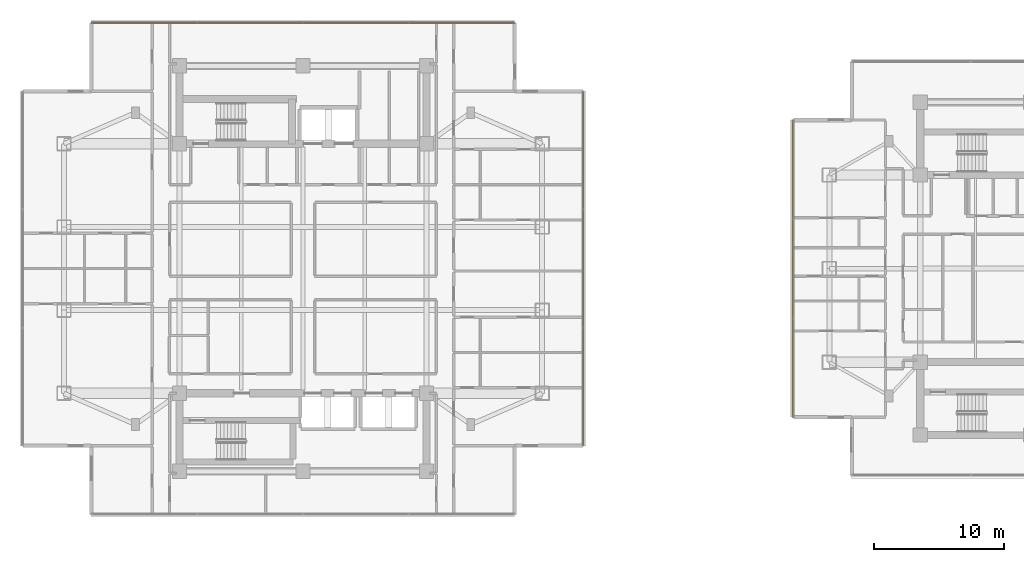
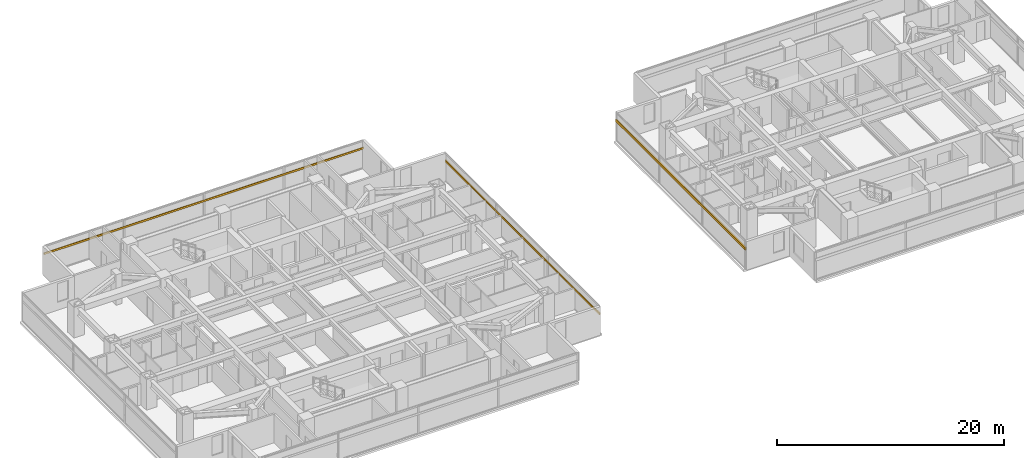
# One storey, part 21 of 24: 3 shading devices.
"""IFC4 building model written with IfcOpenShell, lengths in metres."""

from ifc_helpers import new_model, si_unit, direction, frame, origin, origin_2d, place, context, subcontext, project, spatial, rectangle, extrude, material, material_profile, profile_set, type_object, element, save


model = new_model("IFC4")

# Units and contexts
model_context = context("Model", 3, precision=1e-05, world=origin(), true_north=direction((0.0, 1.0)))
body_context = subcontext(model_context, "Body", "Model", "MODEL_VIEW")
ifc_project = project(units=[si_unit("LENGTHUNIT", "METRE"), si_unit("AREAUNIT", "SQUARE_METRE"), si_unit("VOLUMEUNIT", "CUBIC_METRE"), si_unit("PLANEANGLEUNIT", "RADIAN"), si_unit("MASSUNIT", "GRAM", prefix="KILO")], contexts=[model_context])

# Site, building, storey
site_placement = place(None, origin())
site = spatial("IfcSite", under=ifc_project, at=site_placement, CompositionType="ELEMENT")
building_placement = place(site_placement, origin())
building = spatial("IfcBuilding", under=site, at=building_placement, Name="Mirazonda Arch Towers", CompositionType="ELEMENT")
storey_placement = place(building_placement, frame((0.0, 0.0, 137.89990234375)))
storey = spatial("IfcBuildingStorey", under=building, at=storey_placement, Name="L39", CompositionType="ELEMENT", Elevation=137.89990234375)

# Shading devices
ifc_material = material(Name="Kiln-Fired Architectural Terracotta", Category="masonry")
ifc_material_profile_1 = material_profile(ifc_material, rectangle(XDim=0.10009765625, YDim=0.199951171875, at=origin_2d()), Name="TERRA-BAG-100x200")
ifc_profile_set_1 = profile_set([ifc_material_profile_1], Name="Kiln-Fired Architectural Terracotta")
shading_device_type_1 = type_object("IfcShadingDeviceType", Name="BAGUETTE-2", PredefinedType="USERDEFINED", material=ifc_profile_set_1)
shading_device_1_placement = place(storey_placement, frame((42.06005859375, 14.362060546875, 2.203369140625), z_axis=(0.0, 1.0, 0.0), x_axis=(-1.0, 0.0, 0.0)))
element("IfcShadingDevice", 1, at=shading_device_1_placement, inside=storey, type_object=shading_device_type_1, Name="L39 Glazed Terracotta Sun-Screen Baguette CW-L39-T1-E", ObjectType="BAGUETTE", PredefinedType="USERDEFINED", context=body_context, shape_type="SweptSolid", body=[
    extrude(rectangle(XDim=0.10009765625, YDim=0.199951171875, at=origin_2d()), origin(), (0.0, 0.0, 1.0), 27.27587890625),
])
shading_device_2_placement = place(storey_placement, frame((4.2099609375, 46.907958984375, 2.203369140625), z_axis=(1.0, 0.0, 0.0), x_axis=(0.0, 1.0, 0.0)))
element("IfcShadingDevice", 2, at=shading_device_2_placement, inside=storey, type_object=shading_device_type_1, Name="L39 Glazed Terracotta Sun-Screen Baguette CW-L39-T1-N", ObjectType="BAGUETTE", PredefinedType="USERDEFINED", context=body_context, shape_type="SweptSolid", body=[
    extrude(rectangle(XDim=0.10009765625, YDim=0.199951171875, at=origin_2d()), origin(), (0.0, 0.0, 1.0), 32.580078125),
])
ifc_material_profile_2 = material_profile(ifc_material, rectangle(XDim=0.139892578125, YDim=0.280029296875, at=origin_2d()), Name="TERRA-BAG-140x280")
ifc_profile_set_2 = profile_set([ifc_material_profile_2], Name="Kiln-Fired Architectural Terracotta")
shading_device_type_2 = type_object("IfcShadingDeviceType", Name="BAGUETTE-3", PredefinedType="USERDEFINED", material=ifc_profile_set_2)
shading_device_3_placement = place(storey_placement, frame((58.22705078125, 39.432373046875, 2.203369140625), z_axis=(0.0, -1.0, 0.0), x_axis=(1.0, 0.0, 0.0)))
element("IfcShadingDevice", 3, at=shading_device_3_placement, inside=storey, type_object=shading_device_type_2, Name="L39 Glazed Terracotta Sun-Screen Baguette CW-L39-T2-W", ObjectType="BAGUETTE", PredefinedType="USERDEFINED", context=body_context, shape_type="SweptSolid", body=[
    extrude(rectangle(XDim=0.139892578125, YDim=0.280029296875, at=origin_2d()), origin(), (0.0, 0.0, 1.0), 22.86474609375),
])

save(model, "model.ifc")
